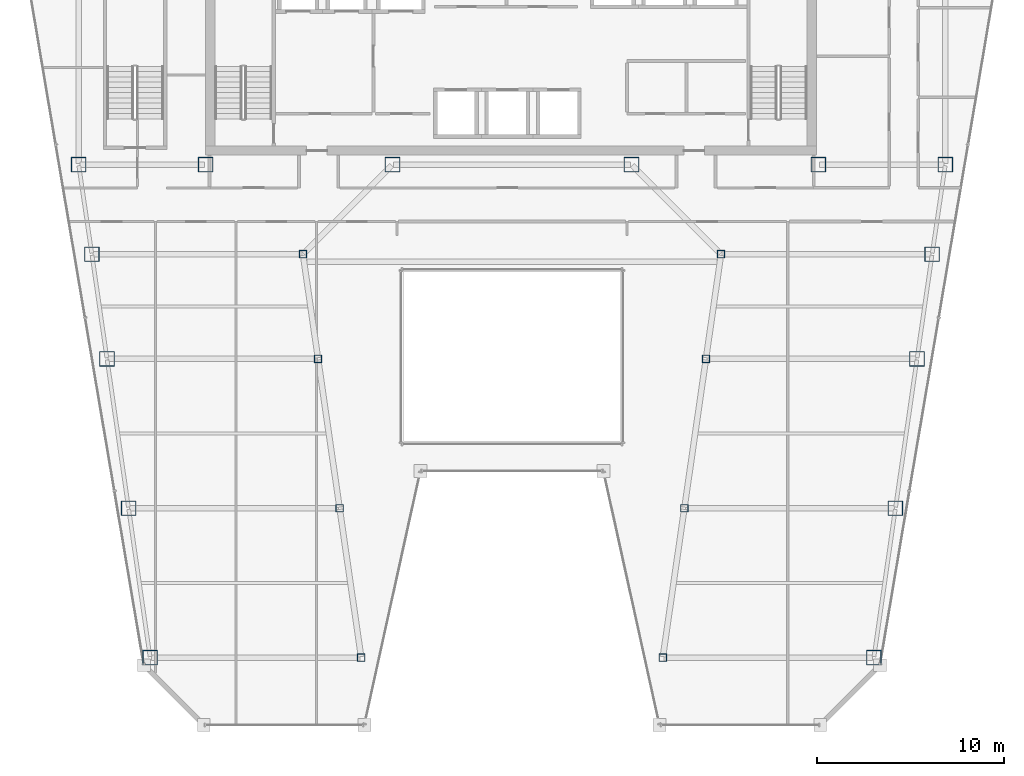
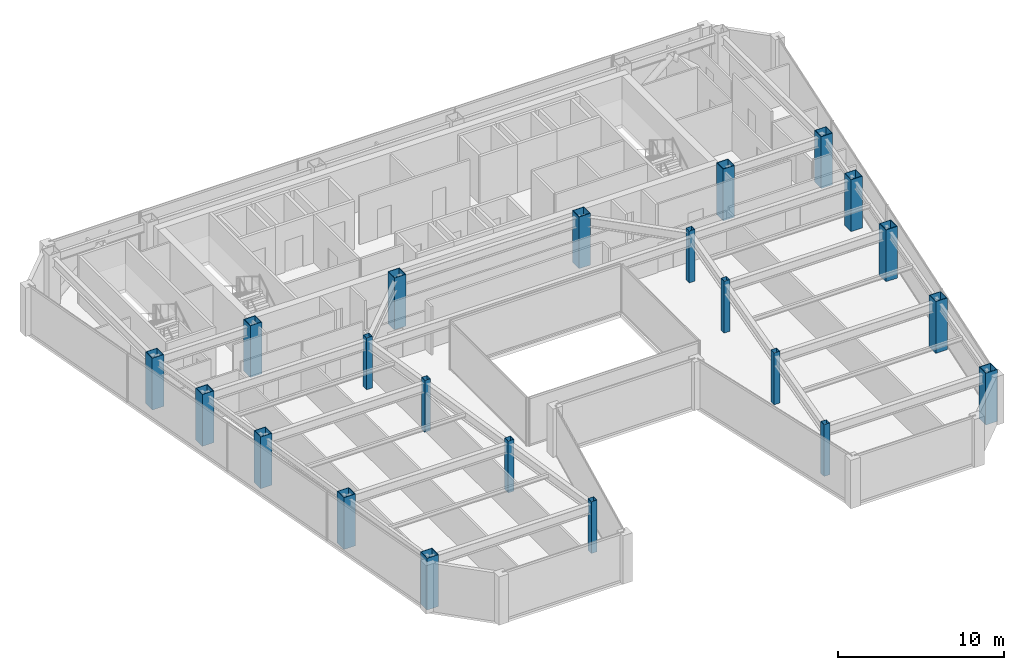
# One storey, part 1 of 35: 22 columns.
"""IFC4 building model written with IfcOpenShell, lengths in metres."""

from ifc_helpers import new_model, si_unit, direction, frame, origin, origin_2d, place, context, subcontext, project, spatial, hollow_rectangle, extrude, material, material_profile, profile_set, type_object, element, save


model = new_model("IFC4")

# Units and contexts
model_context = context("Model", 3, precision=1e-05, world=origin(), true_north=direction((0.0, 1.0)))
body_context = subcontext(model_context, "Body", "Model", "MODEL_VIEW")
ifc_project = project(units=[si_unit("LENGTHUNIT", "METRE"), si_unit("AREAUNIT", "SQUARE_METRE"), si_unit("VOLUMEUNIT", "CUBIC_METRE"), si_unit("PLANEANGLEUNIT", "RADIAN"), si_unit("MASSUNIT", "GRAM", prefix="KILO")], contexts=[model_context])

# Site, building, storey
site_placement = place(None, origin())
site = spatial("IfcSite", under=ifc_project, at=site_placement, CompositionType="ELEMENT")
building_placement = place(site_placement, origin())
building = spatial("IfcBuilding", under=site, at=building_placement, Name="Saevonmaru Cultural Tower", CompositionType="ELEMENT")
storey_placement = place(building_placement, frame((0.0, 0.0, 194.199951171875)))
storey = spatial("IfcBuildingStorey", under=building, at=storey_placement, Name="L44", CompositionType="ELEMENT", Elevation=194.199951171875)

# Columns
ifc_material_1 = material(Name="Steel SM420", Category="steel")
ifc_material_profile_1 = material_profile(ifc_material_1, hollow_rectangle(XDim=0.800048828125, YDim=0.800048828125, WallThickness=0.035888671875, at=origin_2d()), Name="BOX-800x800x36")
ifc_profile_set_1 = profile_set([ifc_material_profile_1], Name="Steel SM420")
column_type_1 = type_object("IfcColumnType", Name="COL-BOX-800", PredefinedType="COLUMN", material=ifc_profile_set_1)
for number, where, z_axis, x_axis, name in (
    (1, (6.800048828125, 42.39990234375, 0.0), (0.0, 0.0, 1.0), (1.0, 0.0, 0.0), "L44 Column TC-S1C"),
    (2, (13.60009765625, 42.39990234375, 0.0), (0.0, 0.0, 1.0), (1.0, 0.0, 0.0), "L44 Column TC-S2C"),
    (3, (23.60009765625, 42.39990234375, 0.0), (0.0, 0.0, 1.0), (1.0, 0.0, 0.0), "L44 Column TC-S3C"),
    (4, (36.39990234375, 42.39990234375, 0.0), (0.0, 0.0, 1.0), (1.0, 0.0, 0.0), "L44 Column TC-S4C"),
    (5, (46.39990234375, 42.39990234375, 0.0), (0.0, 0.0, 1.0), (1.0, 0.0, 0.0), "L44 Column TC-S5C"),
    (6, (53.199951171875, 42.39990234375, 0.0), (0.0, 0.0, 1.0), (1.0, 0.0, 0.0), "L44 Column TC-S6C"),
    (7, (10.6279296875, 16.0, 0.0), (0.0, 0.0, 1.0), (1.0, 0.0, 0.0), "L44 Column TC-WO-Y160"),
    (8, (49.3720703125, 16.0, 0.0), (0.0, 0.0, 1.0), (1.0, 0.0, 0.0), "L44 Column TC-EO-Y160"),
    (9, (9.471923828125, 24.0, 0.0), (0.0, 0.0, 1.0), (1.0, 0.0, 0.0), "L44 Column TC-WO-Y240"),
    (10, (50.528076171875, 24.0, 0.0), (0.0, 0.0, 1.0), (1.0, 0.0, 0.0), "L44 Column TC-EO-Y240"),
    (11, (8.31689453125, 32.0, 0.0), (0.0, 0.0, 1.0), (1.0, 0.0, 0.0), "L44 Column TC-WO-Y320"),
    (12, (51.68310546875, 32.0, 0.0), (0.0, 0.0, 1.0), (1.0, 0.0, 0.0), "L44 Column TC-EO-Y320"),
    (13, (7.508056640625, 37.60009765625, 0.0), (0.0, 0.0, 1.0), (1.0, 0.0, 0.0), "L44 Column TC-WO-Y376"),
    (14, (52.491943359375, 37.60009765625, 0.0), (0.0, 0.0, 1.0), (1.0, 0.0, 0.0), "L44 Column TC-EO-Y376"),
):
    element("IfcColumn", number, at=place(storey_placement, frame(where, z_axis=z_axis, x_axis=x_axis)), inside=storey, type_object=column_type_1, Name=name, PredefinedType="COLUMN", context=body_context, shape_type="SweptSolid", body=[
        extrude(hollow_rectangle(XDim=0.800048828125, YDim=0.800048828125, WallThickness=0.035888671875, at=origin_2d()), origin(), (0.0, 0.0, 1.0), 3.800048828125),
    ])
ifc_material_2 = material(Name="Steel SM355", Category="steel")
ifc_material_profile_2 = material_profile(ifc_material_2, hollow_rectangle(XDim=0.39990234375, YDim=0.39990234375, WallThickness=0.01611328125, at=origin_2d()), Name="SHS-400x400x16")
ifc_profile_set_2 = profile_set([ifc_material_profile_2], Name="Steel SM355")
column_type_2 = type_object("IfcColumnType", Name="COL-SHS-400", PredefinedType="COLUMN", material=ifc_profile_set_2)
for number, where, z_axis, x_axis, name in (
    (15, (21.927978515625, 16.0, 0.0), (0.0, 0.0, 1.0), (1.0, 0.0, 0.0), "L44 Column TC-WI-Y160"),
    (16, (38.072021484375, 16.0, 0.0), (0.0, 0.0, 1.0), (1.0, 0.0, 0.0), "L44 Column TC-EI-Y160"),
    (17, (20.77197265625, 24.0, 0.0), (0.0, 0.0, 1.0), (1.0, 0.0, 0.0), "L44 Column TC-WI-Y240"),
    (18, (39.22802734375, 24.0, 0.0), (0.0, 0.0, 1.0), (1.0, 0.0, 0.0), "L44 Column TC-EI-Y240"),
    (19, (19.616943359375, 32.0, 0.0), (0.0, 0.0, 1.0), (1.0, 0.0, 0.0), "L44 Column TC-WI-Y320"),
    (20, (40.383056640625, 32.0, 0.0), (0.0, 0.0, 1.0), (1.0, 0.0, 0.0), "L44 Column TC-EI-Y320"),
    (21, (18.80810546875, 37.60009765625, 0.0), (0.0, 0.0, 1.0), (1.0, 0.0, 0.0), "L44 Column TC-WI-Y376"),
    (22, (41.19189453125, 37.60009765625, 0.0), (0.0, 0.0, 1.0), (1.0, 0.0, 0.0), "L44 Column TC-EI-Y376"),
):
    element("IfcColumn", number, at=place(storey_placement, frame(where, z_axis=z_axis, x_axis=x_axis)), inside=storey, type_object=column_type_2, Name=name, PredefinedType="COLUMN", context=body_context, shape_type="SweptSolid", body=[
        extrude(hollow_rectangle(XDim=0.39990234375, YDim=0.39990234375, WallThickness=0.01611328125, at=origin_2d()), origin(), (0.0, 0.0, 1.0), 3.800048828125),
    ])

save(model, "model.ifc")
